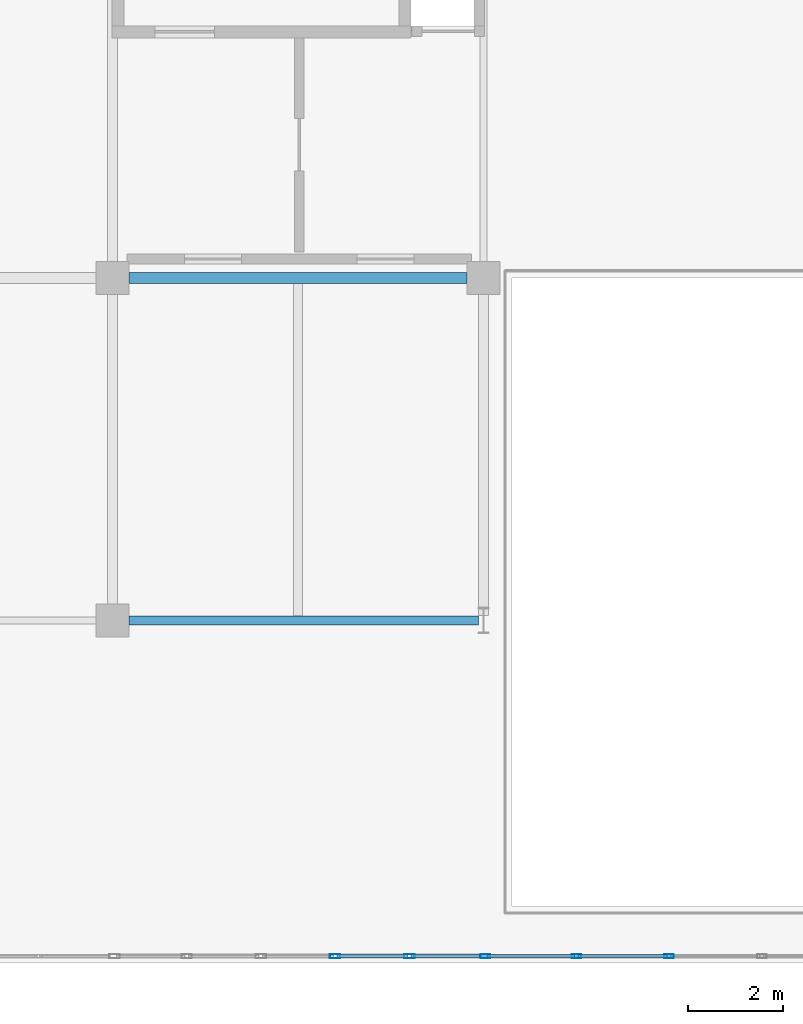
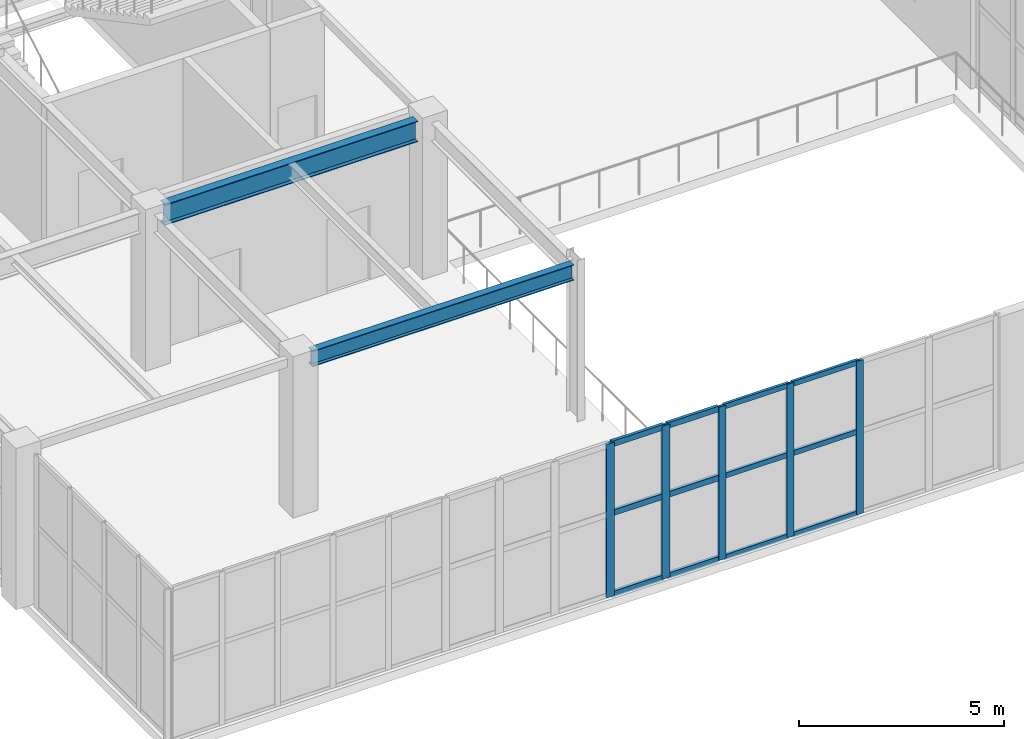
# One storey, part 33 of 72: 17 members, 2 beams, 2 elements without a shape of their own.
"""IFC4 building model written with IfcOpenShell, lengths in metres."""

from ifc_helpers import new_model, si_unit, direction, frame, origin, origin_2d, place, context, subcontext, project, spatial, hollow_rectangle, i_section, extrude, material, layer, layer_set, material_profile, profile_set, type_object, element, aggregate, save


model = new_model("IFC4")

# Units and contexts
model_context = context("Model", 3, precision=1e-05, world=origin(), true_north=direction((0.0, 1.0)))
body_context = subcontext(model_context, "Body", "Model", "MODEL_VIEW")
ifc_project = project(units=[si_unit("LENGTHUNIT", "METRE"), si_unit("AREAUNIT", "SQUARE_METRE"), si_unit("VOLUMEUNIT", "CUBIC_METRE"), si_unit("PLANEANGLEUNIT", "RADIAN"), si_unit("MASSUNIT", "GRAM", prefix="KILO")], contexts=[model_context])

# Site, building, storey
site_placement = place(None, origin())
site = spatial("IfcSite", under=ifc_project, at=site_placement, CompositionType="ELEMENT")
building_placement = place(site_placement, origin())
building = spatial("IfcBuilding", under=site, at=building_placement, Name="Xicomal Pleat Aquarium", CompositionType="ELEMENT")
storey_placement = place(building_placement, frame((0.0, 0.0, 10.5)))
storey = spatial("IfcBuildingStorey", under=building, at=storey_placement, Name="L03", CompositionType="ELEMENT", Elevation=10.5)

# Beams
ifc_material_1 = material(Name="Structural steel A992 Gr 50", Category="steel")
ifc_material_profile_1 = material_profile(ifc_material_1, i_section(OverallWidth=0.194091796875, OverallDepth=0.468994140625, WebThickness=0.0126953125, FlangeThickness=0.0205078125, at=origin_2d()), Name="IR 460x106")
ifc_profile_set_1 = profile_set([ifc_material_profile_1], Name="Structural steel A992 Gr 50")
beam_type_1 = type_object("IfcBeamType", Name="BM-STL-IR460", PredefinedType="BEAM", material=ifc_profile_set_1)
beam_1_placement = place(storey_placement, frame((141.945068359375, 8.0, 4.340576171875), z_axis=(1.0, 0.0, 0.0), x_axis=(0.0, 1.0, 0.0)))
element("IfcBeam", 1, at=beam_1_placement, inside=storey, type_object=beam_type_1, Name="L03 framing beam FGX-L03-18-19-B", PredefinedType="BEAM", context=body_context, shape_type="SweptSolid", body=[
    extrude(i_section(OverallWidth=0.194091796875, OverallDepth=0.468994140625, WebThickness=0.0126953125, FlangeThickness=0.0205078125, at=origin_2d()), origin(), (0.0, 0.0, 1.0), 7.35400390625),
])
ifc_material_2 = material(Name="Structural steel A992 Gr 50", Category="steel")
ifc_material_profile_2 = material_profile(ifc_material_2, i_section(OverallWidth=0.22998046875, OverallDepth=0.616943359375, WebThickness=0.01318359375, FlangeThickness=0.022216796875, at=origin_2d()), Name="IR 610x140")
ifc_profile_set_2 = profile_set([ifc_material_profile_2], Name="Structural steel A992 Gr 50")
beam_type_2 = type_object("IfcBeamType", Name="BM-STL-IR610", PredefinedType="BEAM", material=ifc_profile_set_2)
beam_2_placement = place(storey_placement, frame((141.945068359375, 15.199951171875, 4.2666015625), z_axis=(1.0, 0.0, 0.0), x_axis=(0.0, 1.0, 0.0)))
element("IfcBeam", 2, at=beam_2_placement, inside=storey, type_object=beam_type_2, Name="L03 framing beam FGX-L03-18-19-C", PredefinedType="BEAM", context=body_context, shape_type="SweptSolid", body=[
    extrude(i_section(OverallWidth=0.22998046875, OverallDepth=0.616943359375, WebThickness=0.01318359375, FlangeThickness=0.022216796875, at=origin_2d()), origin(), (0.0, 0.0, 1.0), 7.10986328125),
])

# Curtain wall, members
ifc_material_3 = material(Name="Bronze anodized aluminium 6063-T6", Category="aluminium")
ifc_layer_1 = layer(ifc_material_3, 0.159912109375)
ifc_layer_set_1 = layer_set([ifc_layer_1], Name="Bronze anodized aluminium 6063-T6")
curtain_wall_type_1 = type_object("IfcCurtainWallType", Name="CW-SYS-08", PredefinedType="NOTDEFINED", material=ifc_layer_set_1)
curtain_wall_1_placement = place(storey_placement, origin())
curtain_wall_1 = element("IfcCurtainWall", 3, at=curtain_wall_1_placement, inside=storey, type_object=curtain_wall_type_1, Name="L03 unitised curtain wall CW-L03-145", PredefinedType="NOTDEFINED")
ifc_material_4 = material(Name="Bronze anodized aluminium 6063-T6", Category="aluminium")
ifc_material_profile_3 = material_profile(ifc_material_4, hollow_rectangle(XDim=0.074951171875, YDim=0.199951171875, WallThickness=0.00439453125, at=origin_2d()), Name="ALU MULL 75x200")
ifc_profile_set_3 = profile_set([ifc_material_profile_3], Name="Bronze anodized aluminium 6063-T6")
member_type_1 = type_object("IfcMemberType", Name="CWM-75x200", PredefinedType="MULLION", material=ifc_profile_set_3)
member_1_placement = place(storey_placement, frame((153.300048828125, 0.93994140625, 0.0), z_axis=(0.0, 0.0, 1.0), x_axis=(0.0, -1.0, 0.0)))
member_1 = element("IfcMember", 4, at=member_1_placement, type_object=member_type_1, Name="CW-08 mullion 3", PredefinedType="MULLION", context=body_context, shape_type="SweptSolid", body=[
    extrude(hollow_rectangle(XDim=0.074951171875, YDim=0.199951171875, WallThickness=0.00439453125, at=origin_2d()), origin(), (0.0, 0.0, 1.0), 4.56005859375),
])
member_2_placement = place(storey_placement, frame((151.35009765625, 0.93994140625, 0.0), z_axis=(0.0, 0.0, 1.0), x_axis=(0.0, -1.0, 0.0)))
member_2 = element("IfcMember", 5, at=member_2_placement, type_object=member_type_1, Name="CW-08 mullion 4", PredefinedType="MULLION", context=body_context, shape_type="SweptSolid", body=[
    extrude(hollow_rectangle(XDim=0.074951171875, YDim=0.199951171875, WallThickness=0.00439453125, at=origin_2d()), origin(), (0.0, 0.0, 1.0), 4.56005859375),
])
member_3_placement = place(storey_placement, frame((149.4375, 0.93994140625, 0.0), z_axis=(0.0, 0.0, 1.0), x_axis=(0.0, -1.0, 0.0)))
member_3 = element("IfcMember", 6, at=member_3_placement, type_object=member_type_1, Name="CW-08 mullion 5", PredefinedType="MULLION", context=body_context, shape_type="SweptSolid", body=[
    extrude(hollow_rectangle(XDim=0.074951171875, YDim=0.199951171875, WallThickness=0.00439453125, at=origin_2d()), origin(), (0.0, 0.0, 1.0), 4.56005859375),
])

ifc_material_5 = material(Name="Bronze anodized aluminium 6063-T6", Category="aluminium")
ifc_layer_2 = layer(ifc_material_5, 0.159912109375)
ifc_layer_set_2 = layer_set([ifc_layer_2], Name="Bronze anodized aluminium 6063-T6")
curtain_wall_type_2 = type_object("IfcCurtainWallType", Name="CW-SYS-03", PredefinedType="NOTDEFINED", material=ifc_layer_set_2)
curtain_wall_2_placement = place(storey_placement, origin())
curtain_wall_2 = element("IfcCurtainWall", 7, at=curtain_wall_2_placement, inside=storey, type_object=curtain_wall_type_2, Name="L03 unitised curtain wall CW-L03-146", PredefinedType="NOTDEFINED")
ifc_material_6 = material(Name="Bronze anodized aluminium 6063-T6", Category="aluminium")
ifc_material_profile_4 = material_profile(ifc_material_6, hollow_rectangle(XDim=0.0849609375, YDim=0.219970703125, WallThickness=0.0048828125, at=origin_2d()), Name="ALU MULL 85x220")
ifc_profile_set_4 = profile_set([ifc_material_profile_4], Name="Bronze anodized aluminium 6063-T6")
member_type_2 = type_object("IfcMemberType", Name="CWM-85x220", PredefinedType="MULLION", material=ifc_profile_set_4)
member_4_placement = place(storey_placement, frame((147.840087890625, 0.93994140625, 0.0), z_axis=(0.0, 0.0, 1.0), x_axis=(0.0, -1.0, 0.0)))
member_4 = element("IfcMember", 8, at=member_4_placement, type_object=member_type_2, Name="CW-03 mullion 2", PredefinedType="MULLION", context=body_context, shape_type="SweptSolid", body=[
    extrude(hollow_rectangle(XDim=0.0849609375, YDim=0.219970703125, WallThickness=0.0048828125, at=origin_2d()), origin(), (0.0, 0.0, 1.0), 4.56005859375),
])
member_5_placement = place(storey_placement, frame((146.280029296875, 0.93994140625, 0.0), z_axis=(0.0, 0.0, 1.0), x_axis=(0.0, -1.0, 0.0)))
member_5 = element("IfcMember", 9, at=member_5_placement, type_object=member_type_2, Name="CW-03 mullion 3", PredefinedType="MULLION", context=body_context, shape_type="SweptSolid", body=[
    extrude(hollow_rectangle(XDim=0.0849609375, YDim=0.219970703125, WallThickness=0.0048828125, at=origin_2d()), origin(), (0.0, 0.0, 1.0), 4.56005859375),
])

# Member
ifc_material_7 = material(Name="Bronze anodized aluminium 6063-T6", Category="aluminium")
ifc_material_profile_5 = material_profile(ifc_material_7, hollow_rectangle(XDim=0.074951171875, YDim=0.14990234375, WallThickness=0.00439453125, at=origin_2d()), Name="ALU TRAN 75x150")
ifc_profile_set_5 = profile_set([ifc_material_profile_5], Name="Bronze anodized aluminium 6063-T6")
member_type_3 = type_object("IfcMemberType", Name="CWT-75x150", PredefinedType="USERDEFINED", material=ifc_profile_set_5)
member_6_placement = place(storey_placement, frame((153.262451171875, 0.93994140625, 0.03759765625), z_axis=(-1.0, 0.0, 0.0), x_axis=(0.0, -1.0, 0.0)))
member_6 = element("IfcMember", 10, at=member_6_placement, type_object=member_type_3, Name="CW-08 transom 3.1", ObjectType="TRANSOM", PredefinedType="USERDEFINED", context=body_context, shape_type="SweptSolid", body=[
    extrude(hollow_rectangle(XDim=0.074951171875, YDim=0.14990234375, WallThickness=0.00439453125, at=origin_2d()), origin(), (0.0, 0.0, 1.0), 1.875),
])

member_7_placement = place(storey_placement, frame((153.262451171875, 0.93994140625, 2.4619140625), z_axis=(-1.0, 0.0, 0.0), x_axis=(0.0, -1.0, 0.0)))
member_7 = element("IfcMember", 11, at=member_7_placement, type_object=member_type_3, Name="CW-08 transom 3.2", ObjectType="TRANSOM", PredefinedType="USERDEFINED", context=body_context, shape_type="SweptSolid", body=[
    extrude(hollow_rectangle(XDim=0.074951171875, YDim=0.14990234375, WallThickness=0.00439453125, at=origin_2d()), origin(), (0.0, 0.0, 1.0), 1.875),
])

member_8_placement = place(storey_placement, frame((153.262451171875, 0.93994140625, 4.5224609375), z_axis=(-1.0, 0.0, 0.0), x_axis=(0.0, -1.0, 0.0)))
member_8 = element("IfcMember", 12, at=member_8_placement, type_object=member_type_3, Name="CW-08 transom 3.3", ObjectType="TRANSOM", PredefinedType="USERDEFINED", context=body_context, shape_type="SweptSolid", body=[
    extrude(hollow_rectangle(XDim=0.074951171875, YDim=0.14990234375, WallThickness=0.00439453125, at=origin_2d()), origin(), (0.0, 0.0, 1.0), 1.875),
])

member_9_placement = place(storey_placement, frame((151.3125, 0.93994140625, 0.03759765625), z_axis=(-1.0, 0.0, 0.0), x_axis=(0.0, -1.0, 0.0)))
member_9 = element("IfcMember", 13, at=member_9_placement, type_object=member_type_3, Name="CW-08 transom 4.1", ObjectType="TRANSOM", PredefinedType="USERDEFINED", context=body_context, shape_type="SweptSolid", body=[
    extrude(hollow_rectangle(XDim=0.074951171875, YDim=0.14990234375, WallThickness=0.00439453125, at=origin_2d()), origin(), (0.0, 0.0, 1.0), 1.83740234375),
])

member_10_placement = place(storey_placement, frame((151.3125, 0.93994140625, 2.4619140625), z_axis=(-1.0, 0.0, 0.0), x_axis=(0.0, -1.0, 0.0)))
member_10 = element("IfcMember", 14, at=member_10_placement, type_object=member_type_3, Name="CW-08 transom 4.2", ObjectType="TRANSOM", PredefinedType="USERDEFINED", context=body_context, shape_type="SweptSolid", body=[
    extrude(hollow_rectangle(XDim=0.074951171875, YDim=0.14990234375, WallThickness=0.00439453125, at=origin_2d()), origin(), (0.0, 0.0, 1.0), 1.83740234375),
])

member_11_placement = place(storey_placement, frame((151.3125, 0.93994140625, 4.5224609375), z_axis=(-1.0, 0.0, 0.0), x_axis=(0.0, -1.0, 0.0)))
member_11 = element("IfcMember", 15, at=member_11_placement, type_object=member_type_3, Name="CW-08 transom 4.3", ObjectType="TRANSOM", PredefinedType="USERDEFINED", context=body_context, shape_type="SweptSolid", body=[
    extrude(hollow_rectangle(XDim=0.074951171875, YDim=0.14990234375, WallThickness=0.00439453125, at=origin_2d()), origin(), (0.0, 0.0, 1.0), 1.83740234375),
])

aggregate(curtain_wall_1, [member_1, member_2, member_3, member_6, member_7, member_8, member_9, member_10, member_11])

ifc_material_8 = material(Name="Bronze anodized aluminium 6063-T6", Category="aluminium")
ifc_material_profile_6 = material_profile(ifc_material_8, hollow_rectangle(XDim=0.0849609375, YDim=0.169921875, WallThickness=0.0048828125, at=origin_2d()), Name="ALU TRAN 85x170")
ifc_profile_set_6 = profile_set([ifc_material_profile_6], Name="Bronze anodized aluminium 6063-T6")
member_type_4 = type_object("IfcMemberType", Name="CWT-85x170", PredefinedType="USERDEFINED", material=ifc_profile_set_6)
member_12_placement = place(storey_placement, frame((149.31494140625, 0.93994140625, 0.04248046875), z_axis=(-1.0, 0.0, 0.0), x_axis=(0.0, -1.0, 0.0)))
member_12 = element("IfcMember", 16, at=member_12_placement, type_object=member_type_4, Name="CW-03 transom 1.1", ObjectType="TRANSOM", PredefinedType="USERDEFINED", context=body_context, shape_type="SweptSolid", body=[
    extrude(hollow_rectangle(XDim=0.0849609375, YDim=0.169921875, WallThickness=0.0048828125, at=origin_2d()), origin(), (0.0, 0.0, 1.0), 1.432373046875),
])

member_13_placement = place(storey_placement, frame((149.31494140625, 0.93994140625, 2.4619140625), z_axis=(-1.0, 0.0, 0.0), x_axis=(0.0, -1.0, 0.0)))
member_13 = element("IfcMember", 17, at=member_13_placement, type_object=member_type_4, Name="CW-03 transom 1.2", ObjectType="TRANSOM", PredefinedType="USERDEFINED", context=body_context, shape_type="SweptSolid", body=[
    extrude(hollow_rectangle(XDim=0.0849609375, YDim=0.169921875, WallThickness=0.0048828125, at=origin_2d()), origin(), (0.0, 0.0, 1.0), 1.432373046875),
])

member_14_placement = place(storey_placement, frame((149.31494140625, 0.93994140625, 4.517578125), z_axis=(-1.0, 0.0, 0.0), x_axis=(0.0, -1.0, 0.0)))
member_14 = element("IfcMember", 18, at=member_14_placement, type_object=member_type_4, Name="CW-03 transom 1.3", ObjectType="TRANSOM", PredefinedType="USERDEFINED", context=body_context, shape_type="SweptSolid", body=[
    extrude(hollow_rectangle(XDim=0.0849609375, YDim=0.169921875, WallThickness=0.0048828125, at=origin_2d()), origin(), (0.0, 0.0, 1.0), 1.432373046875),
])

member_15_placement = place(storey_placement, frame((147.797607421875, 0.93994140625, 0.04248046875), z_axis=(-1.0, 0.0, 0.0), x_axis=(0.0, -1.0, 0.0)))
member_15 = element("IfcMember", 19, at=member_15_placement, type_object=member_type_4, Name="CW-03 transom 2.1", ObjectType="TRANSOM", PredefinedType="USERDEFINED", context=body_context, shape_type="SweptSolid", body=[
    extrude(hollow_rectangle(XDim=0.0849609375, YDim=0.169921875, WallThickness=0.0048828125, at=origin_2d()), origin(), (0.0, 0.0, 1.0), 1.47509765625),
])

member_16_placement = place(storey_placement, frame((147.797607421875, 0.93994140625, 2.4619140625), z_axis=(-1.0, 0.0, 0.0), x_axis=(0.0, -1.0, 0.0)))
member_16 = element("IfcMember", 20, at=member_16_placement, type_object=member_type_4, Name="CW-03 transom 2.2", ObjectType="TRANSOM", PredefinedType="USERDEFINED", context=body_context, shape_type="SweptSolid", body=[
    extrude(hollow_rectangle(XDim=0.0849609375, YDim=0.169921875, WallThickness=0.0048828125, at=origin_2d()), origin(), (0.0, 0.0, 1.0), 1.47509765625),
])

member_17_placement = place(storey_placement, frame((147.797607421875, 0.93994140625, 4.517578125), z_axis=(-1.0, 0.0, 0.0), x_axis=(0.0, -1.0, 0.0)))
member_17 = element("IfcMember", 21, at=member_17_placement, type_object=member_type_4, Name="CW-03 transom 2.3", ObjectType="TRANSOM", PredefinedType="USERDEFINED", context=body_context, shape_type="SweptSolid", body=[
    extrude(hollow_rectangle(XDim=0.0849609375, YDim=0.169921875, WallThickness=0.0048828125, at=origin_2d()), origin(), (0.0, 0.0, 1.0), 1.47509765625),
])

aggregate(curtain_wall_2, [member_4, member_5, member_12, member_13, member_14, member_15, member_16, member_17])

save(model, "model.ifc")
